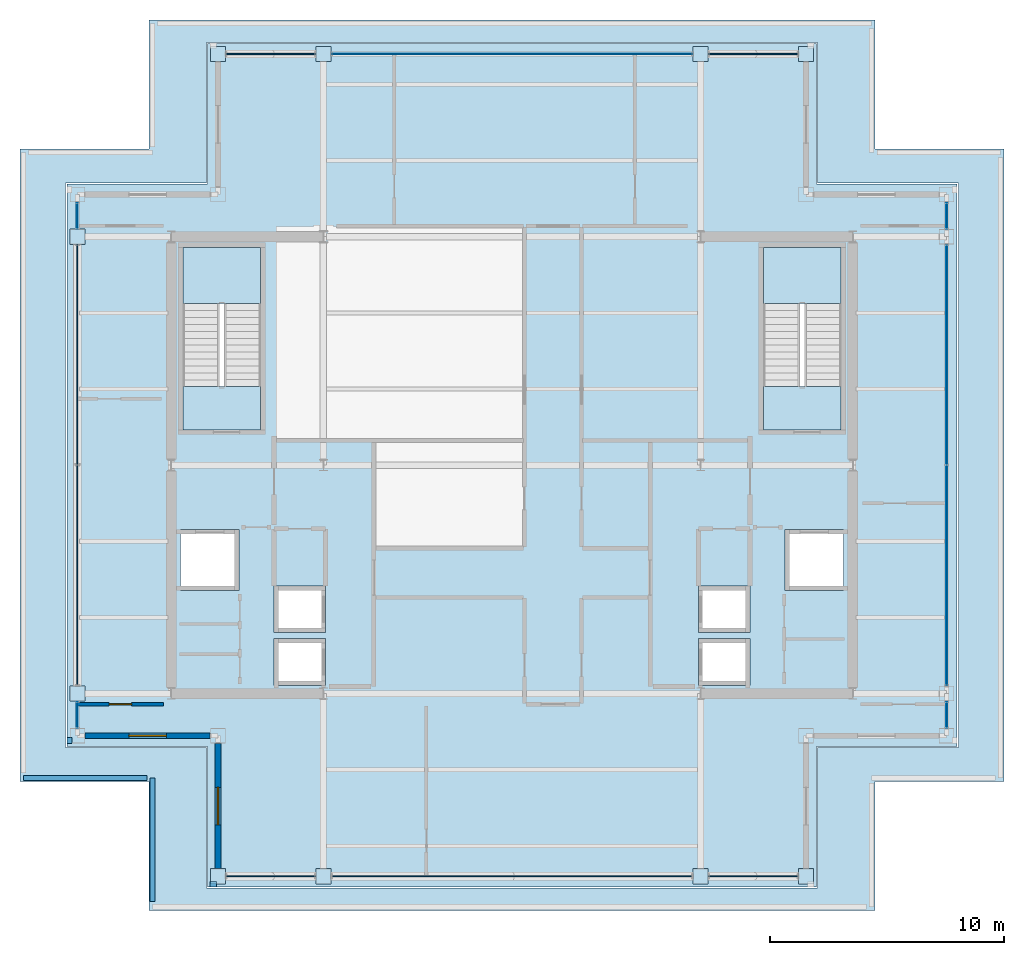
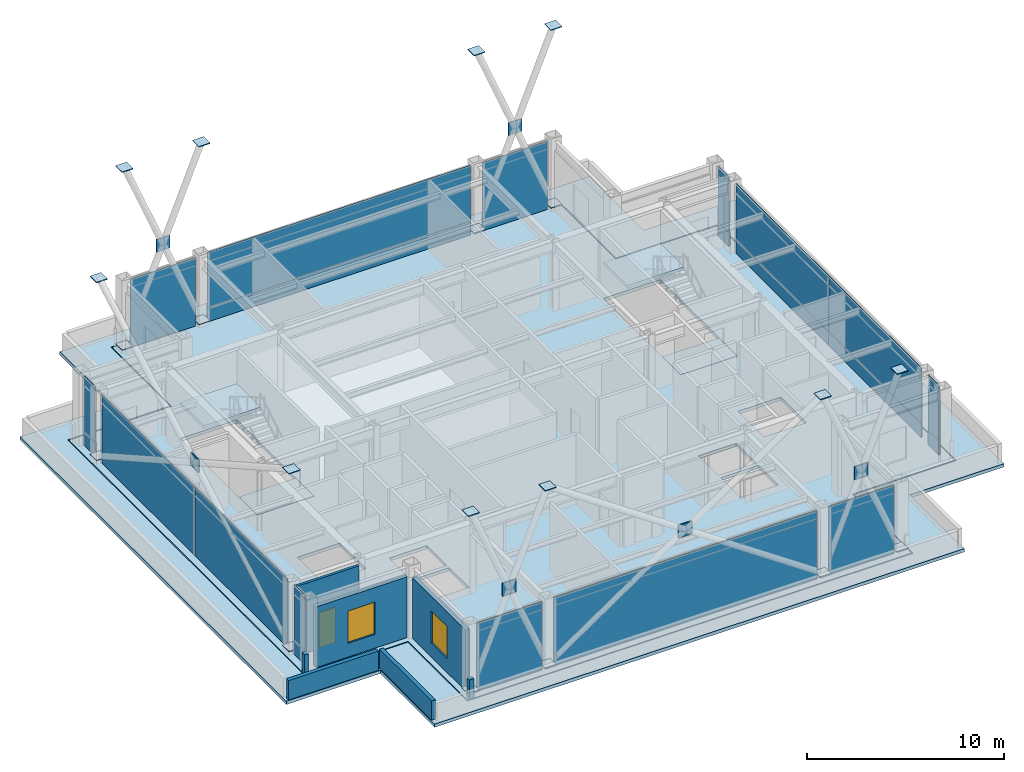
# One storey, part 14 of 19: 47 plates, 7 walls, 6 slabs, 2 windows, 1 door, 3 openings, 14 elements without a shape of their own.
"""IFC4 building model written with IfcOpenShell, lengths in metres."""

from ifc_helpers import new_model, si_unit, direction, frame, frame_2d, origin, origin_2d, place, context, subcontext, project, spatial, polyline, rectangle, outline, extrude, material, layer, layer_set, type_object, element, fill, aggregate, save


model = new_model("IFC4")

# Units and contexts
model_context = context("Model", 3, precision=1e-05, world=origin(), true_north=direction((0.0, 1.0)))
body_context = subcontext(model_context, "Body", "Model", "MODEL_VIEW")
ifc_project = project(units=[si_unit("LENGTHUNIT", "METRE"), si_unit("AREAUNIT", "SQUARE_METRE"), si_unit("VOLUMEUNIT", "CUBIC_METRE"), si_unit("PLANEANGLEUNIT", "RADIAN"), si_unit("MASSUNIT", "GRAM", prefix="KILO")], contexts=[model_context])

# Site, building, storey
site_placement = place(None, origin())
site = spatial("IfcSite", under=ifc_project, at=site_placement, CompositionType="ELEMENT")
building_placement = place(site_placement, origin())
building = spatial("IfcBuilding", under=site, at=building_placement, Name="Brelmoor Portico Tower", CompositionType="ELEMENT")
storey_placement = place(building_placement, frame((0.0, 0.0, 213.89990234375)))
storey = spatial("IfcBuildingStorey", under=building, at=storey_placement, Name="L56", CompositionType="ELEMENT", Elevation=213.89990234375)

# Plates
ifc_material_1 = material(Name="Steel Q355B", Category="steel")
ifc_layer_1 = layer(ifc_material_1, 0.044921875)
ifc_layer_set_1 = layer_set([ifc_layer_1], Name="Steel Q355B")
plate_type_1 = type_object("IfcPlateType", Name="PT-CAP-650", PredefinedType="SHEET", material=ifc_layer_set_1)
for number, where, z_axis, x_axis, name in (
    (1, (-12.550048828125, -17.550048828125, 0.2275390625), (0.0, 0.0, 1.0), (1.0, 0.0, 0.0), "L56 Continuous Mega-X Brace 127A Joint Cap Plate 1"),
    (2, (-8.050048828125, -17.550048828125, 11.2275390625), (0.0, 0.0, 1.0), (1.0, 0.0, 0.0), "L56 Continuous Mega-X Brace 127A Joint Cap Plate 2"),
    (3, (-8.050048828125, -17.550048828125, 0.2275390625), (0.0, 0.0, 1.0), (1.0, 0.0, 0.0), "L56 Split Mega-X Brace 127B1 Joint Cap Plate 1"),
    (4, (-12.550048828125, -17.550048828125, 11.2275390625), (0.0, 0.0, 1.0), (1.0, 0.0, 0.0), "L56 Split Mega-X Brace 127B2 Joint Cap Plate 2"),
    (5, (8.050048828125, -17.550048828125, 11.2275390625), (0.0, 0.0, 1.0), (1.0, 0.0, 0.0), "L56 Continuous Mega-X Brace 128A Joint Cap Plate 2"),
    (6, (8.050048828125, -17.550048828125, 0.2275390625), (0.0, 0.0, 1.0), (1.0, 0.0, 0.0), "L56 Split Mega-X Brace 128B1 Joint Cap Plate 1"),
    (7, (12.550048828125, -17.550048828125, 11.2275390625), (0.0, 0.0, 1.0), (1.0, 0.0, 0.0), "L56 Continuous Mega-X Brace 129A Joint Cap Plate 2"),
    (8, (12.550048828125, -17.550048828125, 0.2275390625), (0.0, 0.0, 1.0), (1.0, 0.0, 0.0), "L56 Split Mega-X Brace 129B1 Joint Cap Plate 1"),
    (9, (-12.550048828125, 17.550048828125, 0.2275390625), (0.0, 0.0, 1.0), (1.0, 0.0, 0.0), "L56 Continuous Mega-X Brace 130A Joint Cap Plate 1"),
    (10, (-8.050048828125, 17.550048828125, 11.2275390625), (0.0, 0.0, 1.0), (1.0, 0.0, 0.0), "L56 Continuous Mega-X Brace 130A Joint Cap Plate 2"),
    (11, (-8.050048828125, 17.550048828125, 0.2275390625), (0.0, 0.0, 1.0), (1.0, 0.0, 0.0), "L56 Split Mega-X Brace 130B1 Joint Cap Plate 1"),
    (12, (-12.550048828125, 17.550048828125, 11.2275390625), (0.0, 0.0, 1.0), (1.0, 0.0, 0.0), "L56 Split Mega-X Brace 130B2 Joint Cap Plate 2"),
    (13, (8.050048828125, 17.550048828125, 0.2275390625), (0.0, 0.0, 1.0), (1.0, 0.0, 0.0), "L56 Continuous Mega-X Brace 131A Joint Cap Plate 1"),
    (14, (12.550048828125, 17.550048828125, 11.2275390625), (0.0, 0.0, 1.0), (1.0, 0.0, 0.0), "L56 Continuous Mega-X Brace 131A Joint Cap Plate 2"),
    (15, (12.550048828125, 17.550048828125, 0.2275390625), (0.0, 0.0, 1.0), (1.0, 0.0, 0.0), "L56 Split Mega-X Brace 131B1 Joint Cap Plate 1"),
    (16, (8.050048828125, 17.550048828125, 11.2275390625), (0.0, 0.0, 1.0), (1.0, 0.0, 0.0), "L56 Split Mega-X Brace 131B2 Joint Cap Plate 2"),
    (17, (-18.550048828125, -9.75, 0.2275390625), (0.0, 0.0, 1.0), (1.0, 0.0, 0.0), "L56 Continuous Mega-X Brace 132A Joint Cap Plate 1"),
    (18, (-18.550048828125, 9.75, 11.2275390625), (0.0, 0.0, 1.0), (1.0, 0.0, 0.0), "L56 Continuous Mega-X Brace 132A Joint Cap Plate 2"),
    (19, (-18.550048828125, 9.75, 0.2275390625), (0.0, 0.0, 1.0), (1.0, 0.0, 0.0), "L56 Split Mega-X Brace 132B1 Joint Cap Plate 1"),
    (20, (-18.550048828125, -9.75, 11.2275390625), (0.0, 0.0, 1.0), (1.0, 0.0, 0.0), "L56 Split Mega-X Brace 132B2 Joint Cap Plate 2"),
):
    element("IfcPlate", number, at=place(storey_placement, frame(where, z_axis=z_axis, x_axis=x_axis)), inside=storey, type_object=plate_type_1, Name=name, PredefinedType="SHEET", context=body_context, shape_type="SweptSolid", body=[
        extrude(rectangle(XDim=0.64990234375, YDim=0.64990234375, at=origin_2d()), origin(), (0.0, 0.0, 1.0), 0.044921875),
    ])

# Curtain wall, plate
ifc_material_2 = material(Name="Anodised Aluminium Alloy 6063-T6", Category="aluminium")
ifc_layer_2 = layer(ifc_material_2, 0.179931640625)
ifc_layer_set_2 = layer_set([ifc_layer_2], Name="Anodised Aluminium Alloy 6063-T6")
curtain_wall_type_1 = type_object("IfcCurtainWallType", Name="CW-SKYLOBBY", PredefinedType="NOTDEFINED", material=ifc_layer_set_2)
curtain_wall_1_placement = place(storey_placement, origin())
curtain_wall_1 = element("IfcCurtainWall", 21, at=curtain_wall_1_placement, inside=storey, type_object=curtain_wall_type_1, Name="L56 Curtain Wall CW-L56-02-2", PredefinedType="NOTDEFINED")
ifc_material_3 = material(Name="Double-Silver Low-E Insulated Glazing", Category="glass")
ifc_layer_3 = layer(ifc_material_3, 0.035888671875)
ifc_layer_set_3 = layer_set([ifc_layer_3], Name="Double-Silver Low-E Insulated Glazing")
plate_type_2 = type_object("IfcPlateType", Name="PT-CW-GLASS", PredefinedType="CURTAIN_PANEL", material=ifc_layer_set_3)
plate_1_placement = place(storey_placement, frame((0.0, 17.550048828125, 0.85009765625), z_axis=(0.0, 0.0, 1.0), x_axis=(1.0, 0.0, 0.0)))
plate_1 = element("IfcPlate", 22, at=plate_1_placement, type_object=plate_type_2, Name="CW-L56-02-2 Vision Glass Panel 00", PredefinedType="CURTAIN_PANEL", context=body_context, shape_type="SweptSolid", body=[
    extrude(rectangle(XDim=15.39990234375, YDim=0.035888671875, at=origin_2d()), origin(), (0.0, 0.0, 1.0), 3.449951171875),
])

curtain_wall_2_placement = place(storey_placement, origin())
curtain_wall_2 = element("IfcCurtainWall", 23, at=curtain_wall_2_placement, inside=storey, type_object=curtain_wall_type_1, Name="L56 Curtain Wall CW-L56-03-1", PredefinedType="NOTDEFINED")
plate_2_placement = place(storey_placement, frame((-18.550048828125, -10.64990234375, 0.85009765625), z_axis=(0.0, 0.0, 1.0), x_axis=(0.0, 1.0, 0.0)))
plate_2 = element("IfcPlate", 24, at=plate_2_placement, type_object=plate_type_2, Name="CW-L56-03-1 Vision Glass Panel 00", PredefinedType="CURTAIN_PANEL", context=body_context, shape_type="SweptSolid", body=[
    extrude(rectangle(XDim=1.10009765625, YDim=0.035888671875, at=origin_2d()), origin(), (0.0, 0.0, 1.0), 3.449951171875),
])

curtain_wall_3_placement = place(storey_placement, origin())
curtain_wall_3 = element("IfcCurtainWall", 25, at=curtain_wall_3_placement, inside=storey, type_object=curtain_wall_type_1, Name="L56 Curtain Wall CW-L56-03-3", PredefinedType="NOTDEFINED")
plate_3_placement = place(storey_placement, frame((-18.550048828125, 10.64990234375, 0.85009765625), z_axis=(0.0, 0.0, 1.0), x_axis=(0.0, 1.0, 0.0)))
plate_3 = element("IfcPlate", 26, at=plate_3_placement, type_object=plate_type_2, Name="CW-L56-03-3 Vision Glass Panel 00", PredefinedType="CURTAIN_PANEL", context=body_context, shape_type="SweptSolid", body=[
    extrude(rectangle(XDim=1.10009765625, YDim=0.035888671875, at=origin_2d()), origin(), (0.0, 0.0, 1.0), 3.449951171875),
])

curtain_wall_4_placement = place(storey_placement, origin())
curtain_wall_4 = element("IfcCurtainWall", 27, at=curtain_wall_4_placement, inside=storey, type_object=curtain_wall_type_1, Name="L56 Curtain Wall CW-L56-04-1", PredefinedType="NOTDEFINED")
plate_4_placement = place(storey_placement, frame((18.550048828125, -10.64990234375, 0.85009765625), z_axis=(0.0, 0.0, 1.0), x_axis=(0.0, 1.0, 0.0)))
plate_4 = element("IfcPlate", 28, at=plate_4_placement, type_object=plate_type_2, Name="CW-L56-04-1 Vision Glass Panel 00", PredefinedType="CURTAIN_PANEL", context=body_context, shape_type="SweptSolid", body=[
    extrude(rectangle(XDim=1.10009765625, YDim=0.035888671875, at=origin_2d()), origin(), (0.0, 0.0, 1.0), 3.449951171875),
])

# Curtain wall, plates
curtain_wall_5_placement = place(storey_placement, origin())
curtain_wall_5 = element("IfcCurtainWall", 29, at=curtain_wall_5_placement, inside=storey, type_object=curtain_wall_type_1, Name="L56 Curtain Wall CW-L56-04-2", PredefinedType="NOTDEFINED")
plate_5_placement = place(storey_placement, frame((18.550048828125, -4.70751953125, 0.85009765625), z_axis=(0.0, 0.0, 1.0), x_axis=(0.0, 1.0, 0.0)))
plate_5 = element("IfcPlate", 30, at=plate_5_placement, type_object=plate_type_2, Name="CW-L56-04-2 Vision Glass Panel 00", PredefinedType="CURTAIN_PANEL", context=body_context, shape_type="SweptSolid", body=[
    extrude(rectangle(XDim=9.385009765625, YDim=0.035888671875, at=origin_2d()), origin(), (0.0, 0.0, 1.0), 3.449951171875),
])
plate_6_placement = place(storey_placement, frame((18.550048828125, 4.70751953125, 0.85009765625), z_axis=(0.0, 0.0, 1.0), x_axis=(0.0, 1.0, 0.0)))
plate_6 = element("IfcPlate", 31, at=plate_6_placement, type_object=plate_type_2, Name="CW-L56-04-2 Vision Glass Panel 01", PredefinedType="CURTAIN_PANEL", context=body_context, shape_type="SweptSolid", body=[
    extrude(rectangle(XDim=9.385009765625, YDim=0.035888671875, at=origin_2d()), origin(), (0.0, 0.0, 1.0), 3.449951171875),
])

# Curtain wall, plate
curtain_wall_6_placement = place(storey_placement, origin())
curtain_wall_6 = element("IfcCurtainWall", 32, at=curtain_wall_6_placement, inside=storey, type_object=curtain_wall_type_1, Name="L56 Curtain Wall CW-L56-04-3", PredefinedType="NOTDEFINED")
plate_7_placement = place(storey_placement, frame((18.550048828125, 10.64990234375, 0.85009765625), z_axis=(0.0, 0.0, 1.0), x_axis=(0.0, 1.0, 0.0)))
plate_7 = element("IfcPlate", 33, at=plate_7_placement, type_object=plate_type_2, Name="CW-L56-04-3 Vision Glass Panel 00", PredefinedType="CURTAIN_PANEL", context=body_context, shape_type="SweptSolid", body=[
    extrude(rectangle(XDim=1.10009765625, YDim=0.035888671875, at=origin_2d()), origin(), (0.0, 0.0, 1.0), 3.449951171875),
])

ifc_layer_4 = layer(ifc_material_2, 0.179931640625)
ifc_layer_set_4 = layer_set([ifc_layer_4], Name="Anodised Aluminium Alloy 6063-T6")
curtain_wall_type_2 = type_object("IfcCurtainWallType", Name="CW-SKYLOBBY-XB", PredefinedType="NOTDEFINED", material=ifc_layer_set_4)
curtain_wall_7_placement = place(storey_placement, origin())
curtain_wall_7 = element("IfcCurtainWall", 34, at=curtain_wall_7_placement, inside=storey, type_object=curtain_wall_type_2, Name="L56 Curtain Wall CW-L56-01-1", PredefinedType="NOTDEFINED")
ifc_material_4 = material(Name="Pale Champagne Anodised Aluminium Panel", Category="aluminium")
ifc_layer_5 = layer(ifc_material_4, 0.050048828125)
ifc_layer_set_5 = layer_set([ifc_layer_5], Name="Pale Champagne Anodised Aluminium Panel")
plate_type_3 = type_object("IfcPlateType", Name="PT-CW-SPANDREL", PredefinedType="SHEET", material=ifc_layer_set_5)
plate_8_placement = place(storey_placement, frame((-10.300048828125, -17.550048828125, 0.0), z_axis=(0.0, 0.0, 1.0), x_axis=(1.0, 0.0, 0.0)))
plate_8 = element("IfcPlate", 35, at=plate_8_placement, type_object=plate_type_3, Name="CW-L56-01-1 Spandrel Panel 00", PredefinedType="SHEET", context=body_context, shape_type="SweptSolid", body=[
    extrude(rectangle(XDim=3.800048828125, YDim=0.050048828125, at=origin_2d()), origin(), (0.0, 0.0, 1.0), 4.219970703125),
])
aggregate(curtain_wall_7, [plate_8])

curtain_wall_8_placement = place(storey_placement, origin())
curtain_wall_8 = element("IfcCurtainWall", 36, at=curtain_wall_8_placement, inside=storey, type_object=curtain_wall_type_2, Name="L56 Curtain Wall CW-L56-01-2", PredefinedType="NOTDEFINED")
plate_9_placement = place(storey_placement, frame((0.0, -17.550048828125, 0.0), z_axis=(0.0, 0.0, 1.0), x_axis=(1.0, 0.0, 0.0)))
plate_9 = element("IfcPlate", 37, at=plate_9_placement, type_object=plate_type_3, Name="CW-L56-01-2 Spandrel Panel 00", PredefinedType="SHEET", context=body_context, shape_type="SweptSolid", body=[
    extrude(rectangle(XDim=15.39990234375, YDim=0.050048828125, at=origin_2d()), origin(), (0.0, 0.0, 1.0), 4.219970703125),
])
aggregate(curtain_wall_8, [plate_9])

curtain_wall_9_placement = place(storey_placement, origin())
curtain_wall_9 = element("IfcCurtainWall", 38, at=curtain_wall_9_placement, inside=storey, type_object=curtain_wall_type_2, Name="L56 Curtain Wall CW-L56-01-3", PredefinedType="NOTDEFINED")
plate_10_placement = place(storey_placement, frame((10.300048828125, -17.550048828125, 0.0), z_axis=(0.0, 0.0, 1.0), x_axis=(1.0, 0.0, 0.0)))
plate_10 = element("IfcPlate", 39, at=plate_10_placement, type_object=plate_type_3, Name="CW-L56-01-3 Spandrel Panel 00", PredefinedType="SHEET", context=body_context, shape_type="SweptSolid", body=[
    extrude(rectangle(XDim=3.800048828125, YDim=0.050048828125, at=origin_2d()), origin(), (0.0, 0.0, 1.0), 4.219970703125),
])
aggregate(curtain_wall_9, [plate_10])

curtain_wall_10_placement = place(storey_placement, origin())
curtain_wall_10 = element("IfcCurtainWall", 40, at=curtain_wall_10_placement, inside=storey, type_object=curtain_wall_type_2, Name="L56 Curtain Wall CW-L56-02-1", PredefinedType="NOTDEFINED")
plate_11_placement = place(storey_placement, frame((-10.300048828125, 17.550048828125, 0.0), z_axis=(0.0, 0.0, 1.0), x_axis=(1.0, 0.0, 0.0)))
plate_11 = element("IfcPlate", 41, at=plate_11_placement, type_object=plate_type_3, Name="CW-L56-02-1 Spandrel Panel 00", PredefinedType="SHEET", context=body_context, shape_type="SweptSolid", body=[
    extrude(rectangle(XDim=3.800048828125, YDim=0.050048828125, at=origin_2d()), origin(), (0.0, 0.0, 1.0), 4.219970703125),
])
aggregate(curtain_wall_10, [plate_11])

# Plate
plate_12_placement = place(storey_placement, frame((0.0, 17.550048828125, 0.0), z_axis=(0.0, 0.0, 1.0), x_axis=(1.0, 0.0, 0.0)))
plate_12 = element("IfcPlate", 42, at=plate_12_placement, type_object=plate_type_3, Name="CW-L56-02-2 Spandrel Panel 00", PredefinedType="SHEET", context=body_context, shape_type="SweptSolid", body=[
    extrude(rectangle(XDim=15.39990234375, YDim=0.050048828125, at=origin_2d()), origin(), (0.0, 0.0, 1.0), 0.85009765625),
])

aggregate(curtain_wall_1, [plate_12, plate_1])

# Curtain wall, plate
curtain_wall_11_placement = place(storey_placement, origin())
curtain_wall_11 = element("IfcCurtainWall", 43, at=curtain_wall_11_placement, inside=storey, type_object=curtain_wall_type_2, Name="L56 Curtain Wall CW-L56-02-3", PredefinedType="NOTDEFINED")
plate_13_placement = place(storey_placement, frame((10.300048828125, 17.550048828125, 0.0), z_axis=(0.0, 0.0, 1.0), x_axis=(1.0, 0.0, 0.0)))
plate_13 = element("IfcPlate", 44, at=plate_13_placement, type_object=plate_type_3, Name="CW-L56-02-3 Spandrel Panel 00", PredefinedType="SHEET", context=body_context, shape_type="SweptSolid", body=[
    extrude(rectangle(XDim=3.800048828125, YDim=0.050048828125, at=origin_2d()), origin(), (0.0, 0.0, 1.0), 4.219970703125),
])
aggregate(curtain_wall_11, [plate_13])

# Plate
plate_14_placement = place(storey_placement, frame((-18.550048828125, -10.64990234375, 0.0), z_axis=(0.0, 0.0, 1.0), x_axis=(0.0, 1.0, 0.0)))
plate_14 = element("IfcPlate", 45, at=plate_14_placement, type_object=plate_type_3, Name="CW-L56-03-1 Spandrel Panel 00", PredefinedType="SHEET", context=body_context, shape_type="SweptSolid", body=[
    extrude(rectangle(XDim=1.10009765625, YDim=0.050048828125, at=origin_2d()), origin(), (0.0, 0.0, 1.0), 0.85009765625),
])

aggregate(curtain_wall_2, [plate_14, plate_2])

# Curtain wall, plates
curtain_wall_12_placement = place(storey_placement, origin())
curtain_wall_12 = element("IfcCurtainWall", 46, at=curtain_wall_12_placement, inside=storey, type_object=curtain_wall_type_2, Name="L56 Curtain Wall CW-L56-03-2", PredefinedType="NOTDEFINED")
plate_15_placement = place(storey_placement, frame((-18.550048828125, -4.70751953125, 0.0), z_axis=(0.0, 0.0, 1.0), x_axis=(0.0, 1.0, 0.0)))
plate_15 = element("IfcPlate", 47, at=plate_15_placement, type_object=plate_type_3, Name="CW-L56-03-2 Spandrel Panel 00", PredefinedType="SHEET", context=body_context, shape_type="SweptSolid", body=[
    extrude(rectangle(XDim=9.385009765625, YDim=0.050048828125, at=origin_2d()), origin(), (0.0, 0.0, 1.0), 4.219970703125),
])
plate_16_placement = place(storey_placement, frame((-18.550048828125, 4.70751953125, 0.0), z_axis=(0.0, 0.0, 1.0), x_axis=(0.0, 1.0, 0.0)))
plate_16 = element("IfcPlate", 48, at=plate_16_placement, type_object=plate_type_3, Name="CW-L56-03-2 Spandrel Panel 01", PredefinedType="SHEET", context=body_context, shape_type="SweptSolid", body=[
    extrude(rectangle(XDim=9.385009765625, YDim=0.050048828125, at=origin_2d()), origin(), (0.0, 0.0, 1.0), 4.219970703125),
])
aggregate(curtain_wall_12, [plate_15, plate_16])

# Plate
plate_17_placement = place(storey_placement, frame((-18.550048828125, 10.64990234375, 0.0), z_axis=(0.0, 0.0, 1.0), x_axis=(0.0, 1.0, 0.0)))
plate_17 = element("IfcPlate", 49, at=plate_17_placement, type_object=plate_type_3, Name="CW-L56-03-3 Spandrel Panel 00", PredefinedType="SHEET", context=body_context, shape_type="SweptSolid", body=[
    extrude(rectangle(XDim=1.10009765625, YDim=0.050048828125, at=origin_2d()), origin(), (0.0, 0.0, 1.0), 0.85009765625),
])

aggregate(curtain_wall_3, [plate_17, plate_3])

plate_18_placement = place(storey_placement, frame((18.550048828125, -10.64990234375, 0.0), z_axis=(0.0, 0.0, 1.0), x_axis=(0.0, 1.0, 0.0)))
plate_18 = element("IfcPlate", 50, at=plate_18_placement, type_object=plate_type_3, Name="CW-L56-04-1 Spandrel Panel 00", PredefinedType="SHEET", context=body_context, shape_type="SweptSolid", body=[
    extrude(rectangle(XDim=1.10009765625, YDim=0.050048828125, at=origin_2d()), origin(), (0.0, 0.0, 1.0), 0.85009765625),
])

aggregate(curtain_wall_4, [plate_18, plate_4])

plate_19_placement = place(storey_placement, frame((18.550048828125, -4.70751953125, 0.0), z_axis=(0.0, 0.0, 1.0), x_axis=(0.0, 1.0, 0.0)))
plate_19 = element("IfcPlate", 51, at=plate_19_placement, type_object=plate_type_3, Name="CW-L56-04-2 Spandrel Panel 00", PredefinedType="SHEET", context=body_context, shape_type="SweptSolid", body=[
    extrude(rectangle(XDim=9.385009765625, YDim=0.050048828125, at=origin_2d()), origin(), (0.0, 0.0, 1.0), 0.85009765625),
])

plate_20_placement = place(storey_placement, frame((18.550048828125, 4.70751953125, 0.0), z_axis=(0.0, 0.0, 1.0), x_axis=(0.0, 1.0, 0.0)))
plate_20 = element("IfcPlate", 52, at=plate_20_placement, type_object=plate_type_3, Name="CW-L56-04-2 Spandrel Panel 01", PredefinedType="SHEET", context=body_context, shape_type="SweptSolid", body=[
    extrude(rectangle(XDim=9.385009765625, YDim=0.050048828125, at=origin_2d()), origin(), (0.0, 0.0, 1.0), 0.85009765625),
])

aggregate(curtain_wall_5, [plate_19, plate_5, plate_20, plate_6])

plate_21_placement = place(storey_placement, frame((18.550048828125, 10.64990234375, 0.0), z_axis=(0.0, 0.0, 1.0), x_axis=(0.0, 1.0, 0.0)))
plate_21 = element("IfcPlate", 53, at=plate_21_placement, type_object=plate_type_3, Name="CW-L56-04-3 Spandrel Panel 00", PredefinedType="SHEET", context=body_context, shape_type="SweptSolid", body=[
    extrude(rectangle(XDim=1.10009765625, YDim=0.050048828125, at=origin_2d()), origin(), (0.0, 0.0, 1.0), 0.85009765625),
])

aggregate(curtain_wall_6, [plate_21, plate_7])

# Plates
ifc_layer_6 = layer(ifc_material_1, 0.050048828125)
ifc_layer_set_6 = layer_set([ifc_layer_6], Name="Steel Q355B")
plate_type_4 = type_object("IfcPlateType", Name="PT-GUSSET-800", PredefinedType="USERDEFINED", material=ifc_layer_set_6)
for number, where, z_axis, x_axis, name in (
    (54, (-10.300048828125, -17.550048828125, 5.35009765625), (0.0, 0.0, 1.0), (1.0, 0.0, 0.0), "L56 Perimeter Mega-Brace Gusset 127"),
    (55, (0.0, -17.550048828125, 5.35009765625), (0.0, 0.0, 1.0), (1.0, 0.0, 0.0), "L56 Perimeter Mega-Brace Gusset 128"),
    (56, (10.300048828125, -17.550048828125, 5.35009765625), (0.0, 0.0, 1.0), (1.0, 0.0, 0.0), "L56 Perimeter Mega-Brace Gusset 129"),
    (57, (-10.300048828125, 17.550048828125, 5.35009765625), (0.0, 0.0, 1.0), (1.0, 0.0, 0.0), "L56 Perimeter Mega-Brace Gusset 130"),
    (58, (10.300048828125, 17.550048828125, 5.35009765625), (0.0, 0.0, 1.0), (1.0, 0.0, 0.0), "L56 Perimeter Mega-Brace Gusset 131"),
):
    element("IfcPlate", number, at=place(storey_placement, frame(where, z_axis=z_axis, x_axis=x_axis)), inside=storey, type_object=plate_type_4, Name=name, ObjectType="GUSSET PLATE", PredefinedType="USERDEFINED", context=body_context, shape_type="SweptSolid", body=[
        extrude(rectangle(XDim=0.800048828125, YDim=0.050048828125, at=origin_2d()), origin(), (0.0, 0.0, 1.0), 0.800048828125),
    ])
plate_22_placement = place(storey_placement, frame((-18.550048828125, 0.0, 5.35009765625), z_axis=(0.0, 0.0, 1.0), x_axis=(1.0, 0.0, 0.0)))
element("IfcPlate", 59, at=plate_22_placement, inside=storey, type_object=plate_type_4, Name="L56 Perimeter Mega-Brace Gusset 132", ObjectType="GUSSET PLATE", PredefinedType="USERDEFINED", context=body_context, shape_type="SweptSolid", body=[
    extrude(rectangle(XDim=0.050048828125, YDim=0.800048828125, at=origin_2d()), origin(), (0.0, 0.0, 1.0), 0.800048828125),
])

# Slab
ifc_material_5 = material(Name="Concrete C40", Category="concrete")
ifc_layer_7 = layer(ifc_material_5, 0.199951171875)
ifc_layer_set_7 = layer_set([ifc_layer_7], Name="Concrete C40")
slab_type_1 = type_object("IfcSlabType", Name="SL-FLOOR-200", PredefinedType="FLOOR", material=ifc_layer_set_7)
slab_1_placement = place(storey_placement, frame((0.0, 0.0, -0.199951171875)))
element("IfcSlab", 60, at=slab_1_placement, inside=storey, type_object=slab_type_1, Name="L56 Main Structural Floor Slab", PredefinedType="FLOOR", context=body_context, shape_type="SweptSolid", body=[
    extrude(outline(polyline([(-13.0, -18.0), (13.0, -18.0), (13.0, -12.0), (19.0, -12.0), (19.0, 12.0), (13.0, 12.0), (13.0, 18.0), (-13.0, 18.0), (-13.0, 12.0), (-19.0, 12.0), (-19.0, -12.0), (-13.0, -12.0), (-13.0, -18.0)]), holes=[polyline([(-10.72998046875, 1.5), (-10.72998046875, 9.300048828125), (-14.050048828125, 9.300048828125), (-14.050048828125, 1.5), (-10.72998046875, 1.5)]), polyline([(14.050048828125, 1.5), (14.050048828125, 9.300048828125), (10.72998046875, 9.300048828125), (10.72998046875, 1.5), (14.050048828125, 1.5)]), polyline([(-10.14990234375, -9.39990234375), (-7.949951171875, -9.39990234375), (-7.949951171875, -7.39990234375), (-10.14990234375, -7.39990234375), (-10.14990234375, -9.39990234375)]), polyline([(-10.14990234375, -7.14990234375), (-7.949951171875, -7.14990234375), (-7.949951171875, -5.14990234375), (-10.14990234375, -5.14990234375), (-10.14990234375, -7.14990234375)]), polyline([(7.949951171875, -9.39990234375), (10.14990234375, -9.39990234375), (10.14990234375, -7.39990234375), (7.949951171875, -7.39990234375), (7.949951171875, -9.39990234375)]), polyline([(7.949951171875, -7.14990234375), (10.14990234375, -7.14990234375), (10.14990234375, -5.14990234375), (7.949951171875, -5.14990234375), (7.949951171875, -7.14990234375)]), polyline([(-14.14990234375, -5.35009765625), (-11.64990234375, -5.35009765625), (-11.64990234375, -2.75), (-14.14990234375, -2.75), (-14.14990234375, -5.35009765625)]), polyline([(11.64990234375, -5.35009765625), (14.14990234375, -5.35009765625), (14.14990234375, -2.75), (11.64990234375, -2.75), (11.64990234375, -5.35009765625)])]), origin(), (0.0, 0.0, 1.0), 0.199951171875),
])

# Stair, slab
stair_type_1 = type_object("IfcStairType", Name="ST-CORE-W", PredefinedType="HALF_TURN_STAIR", material=ifc_material_5)
stair_1_placement = place(storey_placement, origin())
stair_1 = element("IfcStair", 61, at=stair_1_placement, inside=storey, type_object=stair_type_1, Name="L56 Protected Core Exit Stair ST-W", PredefinedType="HALF_TURN_STAIR")
ifc_layer_8 = layer(ifc_material_5, 0.179931640625)
ifc_layer_set_8 = layer_set([ifc_layer_8], Name="Concrete C40")
slab_type_2 = type_object("IfcSlabType", Name="SL-LANDING-180", PredefinedType="LANDING", material=ifc_layer_set_8)
slab_2_placement = place(storey_placement, frame((0.0, 0.0, 2.050048828125)))
slab_2 = element("IfcSlab", 62, at=slab_2_placement, type_object=slab_type_2, Name="ST-W landing 1", PredefinedType="LANDING", context=body_context, shape_type="SweptSolid", body=[
    extrude(outline(polyline([(-10.72998046875, 6.889892578125), (-10.72998046875, 9.300048828125), (-14.050048828125, 9.300048828125), (-14.050048828125, 6.889892578125), (-10.72998046875, 6.889892578125)])), origin(), (0.0, 0.0, 1.0), 0.199951171875),
])
aggregate(stair_1, [slab_2])

stair_type_2 = type_object("IfcStairType", Name="ST-CORE-E", PredefinedType="HALF_TURN_STAIR", material=ifc_material_5)
stair_2_placement = place(storey_placement, origin())
stair_2 = element("IfcStair", 63, at=stair_2_placement, inside=storey, type_object=stair_type_2, Name="L56 Protected Core Exit Stair ST-E", PredefinedType="HALF_TURN_STAIR")
slab_3_placement = place(storey_placement, frame((0.0, 0.0, 2.050048828125)))
slab_3 = element("IfcSlab", 64, at=slab_3_placement, type_object=slab_type_2, Name="ST-E landing 1", PredefinedType="LANDING", context=body_context, shape_type="SweptSolid", body=[
    extrude(outline(polyline([(14.050048828125, 6.889892578125), (14.050048828125, 9.300048828125), (10.72998046875, 9.300048828125), (10.72998046875, 6.889892578125), (14.050048828125, 6.889892578125)])), origin(), (0.0, 0.0, 1.0), 0.199951171875),
])
aggregate(stair_2, [slab_3])

# Slabs
ifc_layer_9 = layer(ifc_material_5, 0.199951171875)
ifc_layer_set_9 = layer_set([ifc_layer_9], Name="Concrete C40")
slab_type_3 = type_object("IfcSlabType", Name="SL-ROOF-200", PredefinedType="ROOF", material=ifc_layer_set_9)
slab_4_placement = place(storey_placement, frame((0.0, 0.0, -0.199951171875)))
element("IfcSlab", 65, at=slab_4_placement, inside=storey, type_object=slab_type_3, Name="L56 Setback Maintenance Roof Slab", PredefinedType="ROOF", context=body_context, shape_type="SweptSolid", body=[
    extrude(outline(polyline([(-15.5, -19.0), (15.5, -19.0), (15.5, -13.5), (21.0, -13.5), (21.0, 13.5), (15.5, 13.5), (15.5, 19.0), (-15.5, 19.0), (-15.5, 13.5), (-21.0, 13.5), (-21.0, -13.5), (-15.5, -13.5), (-15.5, -19.0)]), holes=[polyline([(-13.050048828125, -18.050048828125), (13.050048828125, -18.050048828125), (13.050048828125, -12.050048828125), (19.050048828125, -12.050048828125), (19.050048828125, 12.050048828125), (13.050048828125, 12.050048828125), (13.050048828125, 18.050048828125), (-13.050048828125, 18.050048828125), (-13.050048828125, 12.050048828125), (-19.050048828125, 12.050048828125), (-19.050048828125, -12.050048828125), (-13.050048828125, -12.050048828125), (-13.050048828125, -18.050048828125)])]), origin(), (0.0, 0.0, 1.0), 0.199951171875),
])
ifc_layer_10 = layer(ifc_material_5, 0.199951171875)
ifc_layer_set_10 = layer_set([ifc_layer_10], Name="Concrete C40")
slab_type_4 = type_object("IfcSlabType", Name="SL-STAIR-FL200", PredefinedType="LANDING", material=ifc_layer_set_10)
slab_5_placement = place(storey_placement, frame((0.0, 0.0, -0.199951171875)))
element("IfcSlab", 66, at=slab_5_placement, inside=storey, type_object=slab_type_4, Name="L56 ST-W Structural Floor Landing Slab", PredefinedType="LANDING", context=body_context, shape_type="SweptSolid", body=[
    extrude(outline(polyline([(-10.72998046875, 1.5), (-10.72998046875, 3.35009765625), (-14.050048828125, 3.35009765625), (-14.050048828125, 1.5), (-10.72998046875, 1.5)])), origin(), (0.0, 0.0, 1.0), 0.199951171875),
])
slab_6_placement = place(storey_placement, frame((0.0, 0.0, -0.199951171875)))
element("IfcSlab", 67, at=slab_6_placement, inside=storey, type_object=slab_type_4, Name="L56 ST-E Structural Floor Landing Slab", PredefinedType="LANDING", context=body_context, shape_type="SweptSolid", body=[
    extrude(outline(polyline([(14.050048828125, 1.5), (14.050048828125, 3.35009765625), (10.72998046875, 3.35009765625), (10.72998046875, 1.5), (14.050048828125, 1.5)])), origin(), (0.0, 0.0, 1.0), 0.199951171875),
])

# Wall, opening, window
ifc_material_6 = material(Name="Precast Concrete C40 Insulated Facade Wall", Category="concrete")
ifc_layer_11 = layer(ifc_material_6, 0.25)
ifc_layer_set_11 = layer_set([ifc_layer_11], Name="Precast Concrete C40 Insulated Facade Wall")
wall_type_1 = type_object("IfcWallType", Name="WL-EXT-250", PredefinedType="STANDARD", material=ifc_layer_set_11)
wall_1_placement = place(storey_placement, frame((-18.215087890625, -11.550048828125, 0.0), z_axis=(0.0, 0.0, 1.0), x_axis=(1.0, 0.0, 0.0)))
wall_1 = element("IfcWall", 68, at=wall_1_placement, inside=storey, type_object=wall_type_1, Name="L56 Corner Notch Facade Wall NSWH1", PredefinedType="STANDARD", context=body_context, shape_type="SweptSolid", body=[
    extrude(rectangle(XDim=5.330078125, YDim=0.25, at=frame_2d((2.6650390625, 0.0))), origin(), (0.0, 0.0, 1.0), 3.75),
])
opening_1_placement = place(wall_1_placement, frame((1.864990234375, 0.0, 0.85009765625)))
opening_1 = element("IfcOpeningElement", 69, at=opening_1_placement, cuts=wall_1, Name="Opening W-01", PredefinedType="OPENING", context=body_context, shape_type="SweptSolid", body=[
    extrude(rectangle(XDim=1.60009765625, YDim=2.0, at=frame_2d((0.800048828125, 1.0))), frame((0.0, 0.135009765625, 0.0), z_axis=(0.0, -1.0, 0.0), x_axis=(1.0, 0.0, 0.0)), (0.0, 0.0, 1.0), 0.27001953125),
])
ifc_material_7 = material(Name="Thermally Broken Aluminium Low-E Window", Category="aluminium")
window_type = type_object("IfcWindowType", Name="WN-NOTCH-1600x2000", PartitioningType="SINGLE_PANEL", PredefinedType="WINDOW", material=ifc_material_7)
window_1_placement = place(opening_1_placement, origin())
window_1 = element("IfcWindow", 70, at=window_1_placement, inside=storey, type_object=window_type, Name="L56 Corner Notch Window NSWH1", OverallHeight=2.0, OverallWidth=1.60009765625, PartitioningType="SINGLE_PANEL", PredefinedType="WINDOW", context=body_context, shape_type="SweptSolid", body=[
    extrude(rectangle(XDim=1.60009765625, YDim=2.0, at=frame_2d((0.800048828125, 1.0))), frame((0.0, 0.030029296875, 0.0), z_axis=(0.0, -1.0, 0.0), x_axis=(1.0, 0.0, 0.0)), (0.0, 0.0, 1.0), 0.06005859375),
])
fill(opening_1, window_1)

wall_2_placement = place(storey_placement, frame((-12.550048828125, -17.215087890625, 0.0), z_axis=(0.0, 0.0, 1.0), x_axis=(0.0, 1.0, 0.0)))
wall_2 = element("IfcWall", 71, at=wall_2_placement, inside=storey, type_object=wall_type_1, Name="L56 Corner Notch Facade Wall NSWV1", PredefinedType="STANDARD", context=body_context, shape_type="SweptSolid", body=[
    extrude(rectangle(XDim=5.330078125, YDim=0.25, at=frame_2d((2.6650390625, 0.0))), origin(), (0.0, 0.0, 1.0), 3.75),
])
opening_2_placement = place(wall_2_placement, frame((1.864990234375, 0.0, 0.85009765625)))
opening_2 = element("IfcOpeningElement", 72, at=opening_2_placement, cuts=wall_2, Name="Opening W-01", PredefinedType="OPENING", context=body_context, shape_type="SweptSolid", body=[
    extrude(rectangle(XDim=1.60009765625, YDim=2.0, at=frame_2d((0.800048828125, 1.0))), frame((0.0, 0.135009765625, 0.0), z_axis=(0.0, -1.0, 0.0), x_axis=(1.0, 0.0, 0.0)), (0.0, 0.0, 1.0), 0.27001953125),
])
window_2_placement = place(opening_2_placement, origin())
window_2 = element("IfcWindow", 73, at=window_2_placement, inside=storey, type_object=window_type, Name="L56 Corner Notch Window NSWV1", OverallHeight=2.0, OverallWidth=1.60009765625, PartitioningType="SINGLE_PANEL", PredefinedType="WINDOW", context=body_context, shape_type="SweptSolid", body=[
    extrude(rectangle(XDim=1.60009765625, YDim=2.0, at=frame_2d((0.800048828125, 1.0))), frame((0.0, 0.030029296875, 0.0), z_axis=(0.0, -1.0, 0.0), x_axis=(1.0, 0.0, 0.0)), (0.0, 0.0, 1.0), 0.06005859375),
])
fill(opening_2, window_2)

# Walls
ifc_material_8 = material(Name="Concrete C40 Parapet Upstand", Category="concrete")
ifc_layer_12 = layer(ifc_material_8, 0.219970703125)
ifc_layer_set_12 = layer_set([ifc_layer_12], Name="Concrete C40 Parapet Upstand")
wall_type_2 = type_object("IfcWallType", Name="WL-PARAPET-220", PredefinedType="PARAPET", material=ifc_layer_set_12)
for number, where, z_axis, x_axis, name in (
    (74, (-12.889892578125, -17.889892578125, 0.0), (0.0, 0.0, 1.0), (1.0, 0.0, 0.0), "L56 Chamfer Vertex Parapet Pier SW1"),
    (75, (-18.889892578125, -11.889892578125, 0.0), (0.0, 0.0, 1.0), (0.0, 1.0, 0.0), "L56 Chamfer Vertex Parapet Pier SW2"),
):
    element("IfcWall", number, at=place(storey_placement, frame(where, z_axis=z_axis, x_axis=x_axis)), inside=storey, type_object=wall_type_2, Name=name, PredefinedType="PARAPET", context=body_context, shape_type="SweptSolid", body=[
        extrude(rectangle(XDim=0.269775390625, YDim=0.219970703125, at=frame_2d((0.134765625, 0.0))), origin(), (0.0, 0.0, 1.0), 1.2001953125),
    ])
wall_3_placement = place(storey_placement, frame((-20.85009765625, -13.35009765625, 0.0), z_axis=(0.0, 0.0, 1.0), x_axis=(1.0, 0.0, 0.0)))
element("IfcWall", 76, at=wall_3_placement, inside=storey, type_object=wall_type_2, Name="L56 Roof Parapet Wall 11", PredefinedType="PARAPET", context=body_context, shape_type="SweptSolid", body=[
    extrude(rectangle(XDim=5.280029296875, YDim=0.219970703125, at=frame_2d((2.64013671875, 0.0))), origin(), (0.0, 0.0, 1.0), 1.2001953125),
])
wall_4_placement = place(storey_placement, frame((-15.35009765625, -13.35009765625, 0.0), z_axis=(0.0, 0.0, 1.0), x_axis=(0.0, -1.0, 0.0)))
element("IfcWall", 77, at=wall_4_placement, inside=storey, type_object=wall_type_2, Name="L56 Roof Parapet Wall 12", PredefinedType="PARAPET", context=body_context, shape_type="SweptSolid", body=[
    extrude(rectangle(XDim=5.27978515625, YDim=0.219970703125, at=frame_2d((2.639892578125, 0.0))), origin(), (0.0, 0.0, 1.0), 1.2001953125),
])

# Wall, opening, door
ifc_material_9 = material(Name="Wet-Area Moisture-Resistant Partition", Category="gypsum")
ifc_layer_13 = layer(ifc_material_9, 0.14990234375)
ifc_layer_set_13 = layer_set([ifc_layer_13], Name="Wet-Area Moisture-Resistant Partition")
wall_type_3 = type_object("IfcWallType", Name="WL-PART-150", PredefinedType="PARTITIONING", material=ifc_layer_set_13)
wall_5_placement = place(storey_placement, frame((-18.56005859375, -10.2099609375, 0.0), z_axis=(0.0, 0.0, 1.0), x_axis=(1.0, 0.0, 0.0)))
wall_5 = element("IfcWall", 78, at=wall_5_placement, inside=storey, type_object=wall_type_3, Name="L56 South Wing Closure WL", PredefinedType="PARTITIONING", context=body_context, shape_type="SweptSolid", body=[
    extrude(rectangle(XDim=3.68017578125, YDim=0.14990234375, at=frame_2d((1.840087890625, 0.0))), origin(), (0.0, 0.0, 1.0), 4.300048828125),
])
opening_3_placement = place(wall_5_placement, frame((1.360107421875, 0.0, 0.0)))
opening_3 = element("IfcOpeningElement", 79, at=opening_3_placement, cuts=wall_5, Name="Opening D-IN2", PredefinedType="OPENING", context=body_context, shape_type="SweptSolid", body=[
    extrude(rectangle(XDim=0.9599609375, YDim=2.179931640625, at=frame_2d((0.47998046875, 1.08984375))), frame((0.0, 0.0849609375, 0.0), z_axis=(0.0, -1.0, 0.0), x_axis=(1.0, 0.0, 0.0)), (0.0, 0.0, 1.0), 0.169921875),
])
ifc_material_10 = material(Name="Lacquered Timber Suite Door", Category="wood")
door_type = type_object("IfcDoorType", Name="DR-INT-950", OperationType="NOTDEFINED", PredefinedType="DOOR", material=ifc_material_10)
door_placement = place(opening_3_placement, origin())
door = element("IfcDoor", 80, at=door_placement, inside=storey, type_object=door_type, Name="D-2355 L56 WL Wing South Suite Door", OperationType="SINGLE_SWING_LEFT", OverallHeight=2.179931640625, OverallWidth=0.9599609375, PredefinedType="DOOR", context=body_context, shape_type="SweptSolid", body=[
    extrude(rectangle(XDim=0.9599609375, YDim=2.179931640625, at=frame_2d((0.47998046875, 1.08984375))), frame((0.0, 0.02490234375, 0.0), z_axis=(0.0, -1.0, 0.0), x_axis=(1.0, 0.0, 0.0)), (0.0, 0.0, 1.0), 0.050048828125),
])
fill(opening_3, door)

save(model, "model.ifc")
